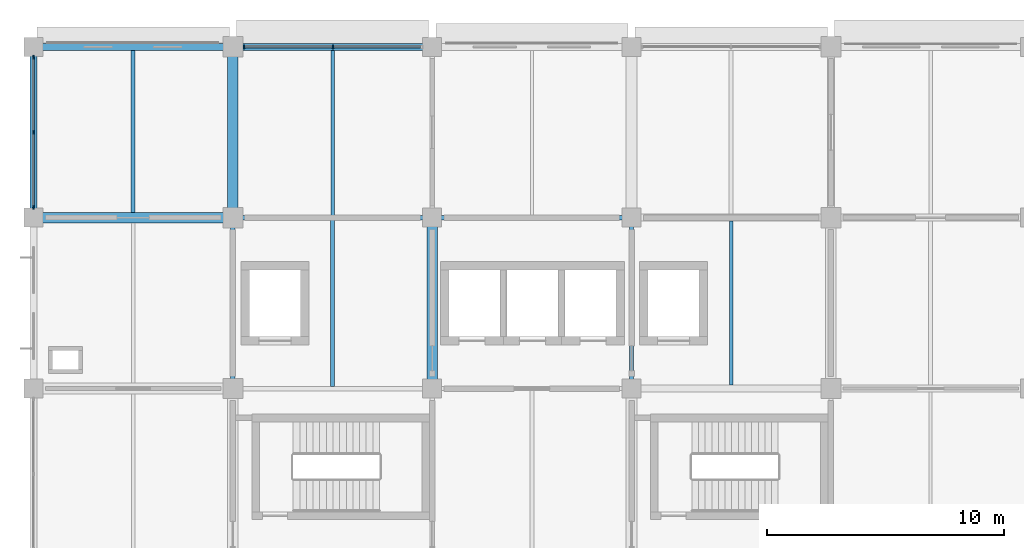
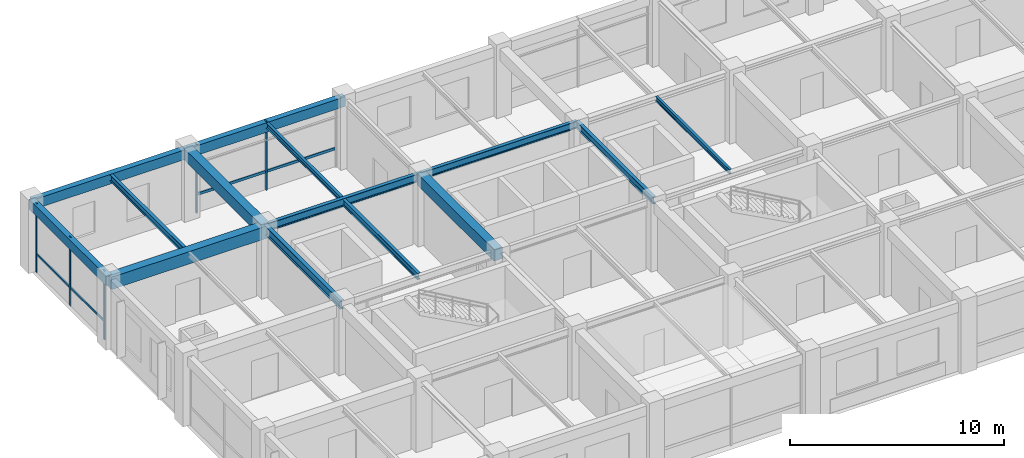
# One storey, part 4 of 13: 14 beams, 9 members, 2 elements without a shape of their own.
"""IFC4 building model written with IfcOpenShell, lengths in metres."""

from ifc_helpers import new_model, si_unit, derived_unit, direction, frame, origin, origin_2d, place, context, subcontext, project, spatial, rectangle, i_section, extrude, material, material_profile, profile_set, type_object, element, aggregate, save


model = new_model("IFC4")

# Units and contexts
model_context = context("Model", 3, precision=1e-05, world=origin(), true_north=direction((0.0, 1.0)))
body_context = subcontext(model_context, "Body", "Model", "MODEL_VIEW")
ifc_project = project(units=[si_unit("LENGTHUNIT", "METRE"), si_unit("AREAUNIT", "SQUARE_METRE"), si_unit("VOLUMEUNIT", "CUBIC_METRE"), si_unit("PLANEANGLEUNIT", "RADIAN"), si_unit("MASSUNIT", "GRAM", prefix="KILO"), derived_unit("THERMALTRANSMITTANCEUNIT", [(si_unit("MASSUNIT", "GRAM", prefix="KILO"), 1), (si_unit("TIMEUNIT", "SECOND"), -3), (si_unit("THERMODYNAMICTEMPERATUREUNIT", "KELVIN"), -1)])], contexts=[model_context])

# Site, building, storey
site_placement = place(None, origin())
site = spatial("IfcSite", under=ifc_project, at=site_placement, CompositionType="ELEMENT")
building_placement = place(site_placement, origin())
building = spatial("IfcBuilding", under=site, at=building_placement, Name="Veldstrom Oceanarium and Marine Research Institute", CompositionType="ELEMENT")
storey_placement = place(building_placement, frame((0.0, 0.0, 27.0)))
storey = spatial("IfcBuildingStorey", under=building, at=storey_placement, Name="L05", CompositionType="ELEMENT", Elevation=27.0)

# Curtain wall, members
ifc_material_1 = material(Name="Anodised Aluminium Framing", Category="aluminium")
curtain_wall_type_1 = type_object("IfcCurtainWallType", Name="ARC-CW-CW08", PredefinedType="USERDEFINED", material=ifc_material_1)
curtain_wall_1_placement = place(storey_placement, origin())
curtain_wall_1 = element("IfcCurtainWall", 1, at=curtain_wall_1_placement, inside=storey, type_object=curtain_wall_type_1, Name="Curtain Wall CW08 CW-L05-092", ObjectType="Curtain wall", PredefinedType="USERDEFINED")
ifc_material_2 = material(Name="Anodised Aluminium Framing", Category="aluminium")
ifc_material_profile_1 = material_profile(ifc_material_2, rectangle(XDim=0.06494140625, YDim=0.14990234375, at=origin_2d()), Name="ALU-MUL-65x150")
ifc_profile_set_1 = profile_set([ifc_material_profile_1], Name="Anodised Aluminium Framing")
member_type_1 = type_object("IfcMemberType", Name="ARC-MUL-ML2", PredefinedType="MULLION", material=ifc_profile_set_1)
member_1_placement = place(storey_placement, frame((67.199951171875, 65.239990234375, 0.0), z_axis=(0.0, 0.0, 1.0), x_axis=(1.0, 0.0, 0.0)))
member_1 = element("IfcMember", 2, at=member_1_placement, type_object=member_type_1, Name="Curtain Wall Mullion CW-L05-092-MUL-1", PredefinedType="MULLION", context=body_context, shape_type="SweptSolid", body=[
    extrude(rectangle(XDim=0.06494140625, YDim=0.14990234375, at=origin_2d()), origin(), (0.0, 0.0, 1.0), 3.919921875),
])
member_2_placement = place(storey_placement, frame((67.199951171875, 68.39990234375, 0.0), z_axis=(0.0, 0.0, 1.0), x_axis=(1.0, 0.0, 0.0)))
member_2 = element("IfcMember", 3, at=member_2_placement, type_object=member_type_1, Name="Curtain Wall Mullion CW-L05-092-MUL-2", PredefinedType="MULLION", context=body_context, shape_type="SweptSolid", body=[
    extrude(rectangle(XDim=0.06494140625, YDim=0.14990234375, at=origin_2d()), origin(), (0.0, 0.0, 1.0), 3.919921875),
])
member_3_placement = place(storey_placement, frame((67.199951171875, 71.56005859375, 0.0), z_axis=(0.0, 0.0, 1.0), x_axis=(1.0, 0.0, 0.0)))
member_3 = element("IfcMember", 4, at=member_3_placement, type_object=member_type_1, Name="Curtain Wall Mullion CW-L05-092-MUL-3", PredefinedType="MULLION", context=body_context, shape_type="SweptSolid", body=[
    extrude(rectangle(XDim=0.06494140625, YDim=0.14990234375, at=origin_2d()), origin(), (0.0, 0.0, 1.0), 3.919921875),
])

ifc_material_3 = material(Name="Anodised Aluminium Framing", Category="aluminium")
curtain_wall_type_2 = type_object("IfcCurtainWallType", Name="ARC-CW-CW04", PredefinedType="USERDEFINED", material=ifc_material_3)
curtain_wall_2_placement = place(storey_placement, origin())
curtain_wall_2 = element("IfcCurtainWall", 5, at=curtain_wall_2_placement, inside=storey, type_object=curtain_wall_type_2, Name="Curtain Wall CW04 CW-L05-093", ObjectType="Curtain wall", PredefinedType="USERDEFINED")
member_4_placement = place(storey_placement, frame((76.06494140625, 72.0, 0.0), z_axis=(0.0, 0.0, 1.0), x_axis=(1.0, 0.0, 0.0)))
member_4 = element("IfcMember", 6, at=member_4_placement, type_object=member_type_1, Name="Curtain Wall Mullion CW-L05-093-MUL-1", PredefinedType="MULLION", context=body_context, shape_type="SweptSolid", body=[
    extrude(rectangle(XDim=0.06494140625, YDim=0.14990234375, at=origin_2d()), origin(), (0.0, 0.0, 1.0), 3.919921875),
])
member_5_placement = place(storey_placement, frame((79.8125, 72.0, 0.0), z_axis=(0.0, 0.0, 1.0), x_axis=(1.0, 0.0, 0.0)))
member_5 = element("IfcMember", 7, at=member_5_placement, type_object=member_type_1, Name="Curtain Wall Mullion CW-L05-093-MUL-2", PredefinedType="MULLION", context=body_context, shape_type="SweptSolid", body=[
    extrude(rectangle(XDim=0.06494140625, YDim=0.14990234375, at=origin_2d()), origin(), (0.0, 0.0, 1.0), 3.919921875),
])
ifc_material_4 = material(Name="Anodised Aluminium Framing", Category="aluminium")
ifc_material_profile_2 = material_profile(ifc_material_4, rectangle(XDim=0.074951171875, YDim=0.14990234375, at=origin_2d()), Name="ALU-TRN-75x150")
ifc_profile_set_2 = profile_set([ifc_material_profile_2], Name="Anodised Aluminium Framing")
member_type_2 = type_object("IfcMemberType", Name="ARC-TRN-TR1", PredefinedType="USERDEFINED", material=ifc_profile_set_2)
member_6_placement = place(storey_placement, frame((76.10498046875, 72.0, 1.050048828125), z_axis=(1.0, 0.0, 0.0), x_axis=(0.0, 1.0, 0.0)))
member_6 = element("IfcMember", 8, at=member_6_placement, type_object=member_type_2, Name="Curtain Wall Transom CW-L05-093-TRN-1", ObjectType="Transom", PredefinedType="USERDEFINED", context=body_context, shape_type="SweptSolid", body=[
    extrude(rectangle(XDim=0.074951171875, YDim=0.14990234375, at=origin_2d()), origin(), (0.0, 0.0, 1.0), 3.66748046875),
])
member_7_placement = place(storey_placement, frame((79.8525390625, 72.0, 1.050048828125), z_axis=(1.0, 0.0, 0.0), x_axis=(0.0, 1.0, 0.0)))
member_7 = element("IfcMember", 9, at=member_7_placement, type_object=member_type_2, Name="Curtain Wall Transom CW-L05-093-TRN-2", ObjectType="Transom", PredefinedType="USERDEFINED", context=body_context, shape_type="SweptSolid", body=[
    extrude(rectangle(XDim=0.074951171875, YDim=0.14990234375, at=origin_2d()), origin(), (0.0, 0.0, 1.0), 3.66748046875),
])
aggregate(curtain_wall_2, [member_4, member_5, member_6, member_7])

# Member
ifc_material_5 = material(Name="Anodised Aluminium Framing", Category="aluminium")
ifc_material_profile_3 = material_profile(ifc_material_5, rectangle(XDim=0.06494140625, YDim=0.1201171875, at=origin_2d()), Name="ALU-TRN-65x120")
ifc_profile_set_3 = profile_set([ifc_material_profile_3], Name="Anodised Aluminium Framing")
member_type_3 = type_object("IfcMemberType", Name="ARC-TRN-TR2", PredefinedType="USERDEFINED", material=ifc_profile_set_3)
member_8_placement = place(storey_placement, frame((67.199951171875, 65.280029296875, 1.050048828125), z_axis=(0.0, 1.0, 0.0), x_axis=(-1.0, 0.0, 0.0)))
member_8 = element("IfcMember", 10, at=member_8_placement, type_object=member_type_3, Name="Curtain Wall Transom CW-L05-092-TRN-1", ObjectType="Transom", PredefinedType="USERDEFINED", context=body_context, shape_type="SweptSolid", body=[
    extrude(rectangle(XDim=0.06494140625, YDim=0.1201171875, at=origin_2d()), origin(), (0.0, 0.0, 1.0), 3.080078125),
])

member_9_placement = place(storey_placement, frame((67.199951171875, 68.43994140625, 1.050048828125), z_axis=(0.0, 1.0, 0.0), x_axis=(-1.0, 0.0, 0.0)))
member_9 = element("IfcMember", 11, at=member_9_placement, type_object=member_type_3, Name="Curtain Wall Transom CW-L05-092-TRN-2", ObjectType="Transom", PredefinedType="USERDEFINED", context=body_context, shape_type="SweptSolid", body=[
    extrude(rectangle(XDim=0.06494140625, YDim=0.1201171875, at=origin_2d()), origin(), (0.0, 0.0, 1.0), 3.080078125),
])

aggregate(curtain_wall_1, [member_1, member_2, member_3, member_8, member_9])

# Beams
ifc_material_6 = material(Name="Concrete C40/50", Category="concrete")
ifc_material_profile_4 = material_profile(ifc_material_6, rectangle(XDim=0.449951171875, YDim=0.699951171875, at=origin_2d()), Name="RC-BM-450x700")
ifc_profile_set_4 = profile_set([ifc_material_profile_4], Name="Concrete C40/50")
beam_type_1 = type_object("IfcBeamType", Name="STR-BM-B04", PredefinedType="BEAM", material=ifc_profile_set_4)
beam_1_placement = place(storey_placement, frame((67.199951171875, 64.800048828125, 3.56494140625), z_axis=(1.0, 0.0, 0.0), x_axis=(0.0, 1.0, 0.0)))
element("IfcBeam", 12, at=beam_1_placement, inside=storey, type_object=beam_type_1, Name="Primary Beam B04 L05-2177", PredefinedType="BEAM", context=body_context, shape_type="SweptSolid", body=[
    extrude(rectangle(XDim=0.449951171875, YDim=0.699951171875, at=origin_2d()), origin(), (0.0, 0.0, 1.0), 8.400146484375),
])
ifc_material_7 = material(Name="Concrete C40/50", Category="concrete")
ifc_material_profile_5 = material_profile(ifc_material_7, rectangle(XDim=0.449951171875, YDim=0.64990234375, at=origin_2d()), Name="RC-BM-450x650")
ifc_profile_set_5 = profile_set([ifc_material_profile_5], Name="Concrete C40/50")
beam_type_2 = type_object("IfcBeamType", Name="STR-BM-B05", PredefinedType="BEAM", material=ifc_profile_set_5)
for number, where, z_axis, x_axis, name in (
    (13, (75.60009765625, 64.800048828125, 3.590087890625), (0.0, 1.0, 0.0), (-1.0, 0.0, 0.0), "Primary Beam B05 L05-2211"),
    (14, (84.0, 57.60009765625, 3.590087890625), (0.0, 1.0, 0.0), (-1.0, 0.0, 0.0), "Primary Beam B05 L05-2214"),
):
    element("IfcBeam", number, at=place(storey_placement, frame(where, z_axis=z_axis, x_axis=x_axis)), inside=storey, type_object=beam_type_2, Name=name, PredefinedType="BEAM", context=body_context, shape_type="SweptSolid", body=[
        extrude(rectangle(XDim=0.449951171875, YDim=0.64990234375, at=origin_2d()), origin(), (0.0, 0.0, 1.0), 7.199951171875),
    ])
ifc_material_8 = material(Name="Steel S355JR", Category="steel")
ifc_material_profile_6 = material_profile(ifc_material_8, i_section(OverallWidth=0.199951171875, OverallDepth=0.5, WebThickness=0.01025390625, FlangeThickness=0.01611328125, FilletRadius=0.02099609375, at=origin_2d()), Name="IPE 500")
ifc_profile_set_6 = profile_set([ifc_material_profile_6], Name="Steel S355JR")
beam_type_3 = type_object("IfcBeamType", Name="STR-BM-SB6", PredefinedType="BEAM", material=ifc_profile_set_6)
beam_2_placement = place(storey_placement, frame((75.60009765625, 57.60009765625, 3.6650390625), z_axis=(0.0, 1.0, 0.0), x_axis=(-1.0, 0.0, 0.0)))
element("IfcBeam", 15, at=beam_2_placement, inside=storey, type_object=beam_type_3, Name="Steel Tie Beam SB6 L05-2210", PredefinedType="BEAM", context=body_context, shape_type="SweptSolid", body=[
    extrude(i_section(OverallWidth=0.199951171875, OverallDepth=0.5, WebThickness=0.01025390625, FlangeThickness=0.01611328125, FilletRadius=0.02099609375, at=origin_2d()), origin(), (0.0, 0.0, 1.0), 7.199951171875),
])
ifc_material_9 = material(Name="Steel S355JR", Category="steel")
ifc_material_profile_7 = material_profile(ifc_material_9, i_section(OverallWidth=0.18994140625, OverallDepth=0.449951171875, WebThickness=0.009521484375, FlangeThickness=0.0146484375, FilletRadius=0.02099609375, at=origin_2d()), Name="IPE 450")
ifc_profile_set_7 = profile_set([ifc_material_profile_7], Name="Steel S355JR")
beam_type_4 = type_object("IfcBeamType", Name="STR-BM-SB7", PredefinedType="BEAM", material=ifc_profile_set_7)
beam_3_placement = place(storey_placement, frame((75.60009765625, 64.800048828125, 3.68994140625), z_axis=(1.0, 0.0, 0.0), x_axis=(0.0, 1.0, 0.0)))
element("IfcBeam", 16, at=beam_3_placement, inside=storey, type_object=beam_type_4, Name="Steel Floor Girder SB7 L05-2182", PredefinedType="BEAM", context=body_context, shape_type="SweptSolid", body=[
    extrude(i_section(OverallWidth=0.18994140625, OverallDepth=0.449951171875, WebThickness=0.009521484375, FlangeThickness=0.0146484375, FilletRadius=0.02099609375, at=origin_2d()), origin(), (0.0, 0.0, 1.0), 8.39990234375),
])
ifc_material_10 = material(Name="Steel S355JR", Category="steel")
ifc_material_profile_8 = material_profile(ifc_material_10, i_section(OverallWidth=0.179931640625, OverallDepth=0.39990234375, WebThickness=0.008544921875, FlangeThickness=0.013427734375, FilletRadius=0.02099609375, at=origin_2d()), Name="IPE 400")
ifc_profile_set_8 = profile_set([ifc_material_profile_8], Name="Steel S355JR")
beam_type_5 = type_object("IfcBeamType", Name="STR-BM-SB8", PredefinedType="BEAM", material=ifc_profile_set_8)
beam_4_placement = place(storey_placement, frame((84.0, 64.800048828125, 3.715087890625), z_axis=(1.0, 0.0, 0.0), x_axis=(0.0, 1.0, 0.0)))
element("IfcBeam", 17, at=beam_4_placement, inside=storey, type_object=beam_type_5, Name="Steel Floor Girder SB8 L05-2187", PredefinedType="BEAM", context=body_context, shape_type="SweptSolid", body=[
    extrude(i_section(OverallWidth=0.179931640625, OverallDepth=0.39990234375, WebThickness=0.008544921875, FlangeThickness=0.013427734375, FilletRadius=0.02099609375, at=origin_2d()), origin(), (0.0, 0.0, 1.0), 8.39990234375),
])
beam_5_placement = place(storey_placement, frame((92.39990234375, 57.60009765625, 3.715087890625), z_axis=(0.0, 1.0, 0.0), x_axis=(-1.0, 0.0, 0.0)))
element("IfcBeam", 18, at=beam_5_placement, inside=storey, type_object=beam_type_5, Name="Steel Tie Beam SB8 L05-2218", PredefinedType="BEAM", context=body_context, shape_type="SweptSolid", body=[
    extrude(i_section(OverallWidth=0.179931640625, OverallDepth=0.39990234375, WebThickness=0.008544921875, FlangeThickness=0.013427734375, FilletRadius=0.02099609375, at=origin_2d()), origin(), (0.0, 0.0, 1.0), 7.199951171875),
])
ifc_material_11 = material(Name="Steel S355JR", Category="steel")
ifc_material_profile_9 = material_profile(ifc_material_11, i_section(OverallWidth=0.169921875, OverallDepth=0.360107421875, WebThickness=0.008056640625, FlangeThickness=0.0126953125, FilletRadius=0.01806640625, at=origin_2d()), Name="IPE 360")
ifc_profile_set_9 = profile_set([ifc_material_profile_9], Name="Steel S355JR")
beam_type_6 = type_object("IfcBeamType", Name="STR-JST-SJ1", PredefinedType="JOIST", material=ifc_profile_set_9)
beam_6_placement = place(storey_placement, frame((71.39990234375, 65.02490234375, 3.735107421875), z_axis=(0.0, 1.0, 0.0), x_axis=(-1.0, 0.0, 0.0)))
element("IfcBeam", 19, at=beam_6_placement, inside=storey, type_object=beam_type_6, Name="Secondary Joist SJ1 L05-2235", PredefinedType="JOIST", context=body_context, shape_type="SweptSolid", body=[
    extrude(i_section(OverallWidth=0.169921875, OverallDepth=0.360107421875, WebThickness=0.008056640625, FlangeThickness=0.0126953125, FilletRadius=0.01806640625, at=origin_2d()), origin(), (0.0, 0.0, 1.0), 6.8251953125),
])
beam_7_placement = place(storey_placement, frame((79.800048828125, 57.695068359375, 3.735107421875), z_axis=(0.0, 1.0, 0.0), x_axis=(-1.0, 0.0, 0.0)))
element("IfcBeam", 20, at=beam_7_placement, inside=storey, type_object=beam_type_6, Name="Secondary Joist SJ1 L05-2237", PredefinedType="JOIST", context=body_context, shape_type="SweptSolid", body=[
    extrude(i_section(OverallWidth=0.169921875, OverallDepth=0.360107421875, WebThickness=0.008056640625, FlangeThickness=0.0126953125, FilletRadius=0.01806640625, at=origin_2d()), origin(), (0.0, 0.0, 1.0), 7.010009765625),
])
ifc_material_12 = material(Name="Steel S355JR", Category="steel")
ifc_material_profile_10 = material_profile(ifc_material_12, i_section(OverallWidth=0.14990234375, OverallDepth=0.300048828125, WebThickness=0.007080078125, FlangeThickness=0.0107421875, FilletRadius=0.014892578125, at=origin_2d()), Name="IPE 300")
ifc_profile_set_10 = profile_set([ifc_material_profile_10], Name="Steel S355JR")
beam_type_7 = type_object("IfcBeamType", Name="STR-JST-SJ2", PredefinedType="JOIST", material=ifc_profile_set_10)
beam_8_placement = place(storey_placement, frame((79.800048828125, 64.89501953125, 3.764892578125), z_axis=(0.0, 1.0, 0.0), x_axis=(-1.0, 0.0, 0.0)))
element("IfcBeam", 21, at=beam_8_placement, inside=storey, type_object=beam_type_7, Name="Secondary Joist SJ2 L05-2238", PredefinedType="JOIST", context=body_context, shape_type="SweptSolid", body=[
    extrude(i_section(OverallWidth=0.14990234375, OverallDepth=0.300048828125, WebThickness=0.007080078125, FlangeThickness=0.0107421875, FilletRadius=0.014892578125, at=origin_2d()), origin(), (0.0, 0.0, 1.0), 6.955078125),
])
ifc_material_13 = material(Name="Steel S355JR", Category="steel")
ifc_material_profile_11 = material_profile(ifc_material_13, i_section(OverallWidth=0.135009765625, OverallDepth=0.27001953125, WebThickness=0.006591796875, FlangeThickness=0.01025390625, FilletRadius=0.014892578125, at=origin_2d()), Name="IPE 270")
ifc_profile_set_11 = profile_set([ifc_material_profile_11], Name="Steel S355JR")
beam_type_8 = type_object("IfcBeamType", Name="STR-JST-SJ3", PredefinedType="JOIST", material=ifc_profile_set_11)
beam_9_placement = place(storey_placement, frame((96.60009765625, 57.75, 3.780029296875), z_axis=(0.0, 1.0, 0.0), x_axis=(-1.0, 0.0, 0.0)))
element("IfcBeam", 22, at=beam_9_placement, inside=storey, type_object=beam_type_8, Name="Secondary Joist SJ3 L05-2243", PredefinedType="JOIST", context=body_context, shape_type="SweptSolid", body=[
    extrude(i_section(OverallWidth=0.135009765625, OverallDepth=0.27001953125, WebThickness=0.006591796875, FlangeThickness=0.01025390625, FilletRadius=0.014892578125, at=origin_2d()), origin(), (0.0, 0.0, 1.0), 6.89990234375),
])
ifc_material_14 = material(Name="Concrete C40/50", Category="concrete")
ifc_material_profile_12 = material_profile(ifc_material_14, rectangle(XDim=0.300048828125, YDim=0.550048828125, at=origin_2d()), Name="RC-SPN-300x550")
ifc_profile_set_12 = profile_set([ifc_material_profile_12], Name="Concrete C40/50")
beam_type_9 = type_object("IfcBeamType", Name="STR-SPN-SP2", PredefinedType="SPANDREL", material=ifc_profile_set_12)
beam_10_placement = place(storey_placement, frame((67.199951171875, 72.0, 3.639892578125), z_axis=(1.0, 0.0, 0.0), x_axis=(0.0, 1.0, 0.0)))
element("IfcBeam", 23, at=beam_10_placement, inside=storey, type_object=beam_type_9, Name="Perimeter Spandrel SPB2 L05-2178", PredefinedType="SPANDREL", context=body_context, shape_type="SweptSolid", body=[
    extrude(rectangle(XDim=0.300048828125, YDim=0.550048828125, at=origin_2d()), origin(), (0.0, 0.0, 1.0), 8.400146484375),
])
beam_11_placement = place(storey_placement, frame((75.60009765625, 72.0, 3.639892578125), z_axis=(1.0, 0.0, 0.0), x_axis=(0.0, 1.0, 0.0)))
element("IfcBeam", 24, at=beam_11_placement, inside=storey, type_object=beam_type_9, Name="Perimeter Spandrel SPB2 L05-2183", PredefinedType="SPANDREL", context=body_context, shape_type="SweptSolid", body=[
    extrude(rectangle(XDim=0.300048828125, YDim=0.550048828125, at=origin_2d()), origin(), (0.0, 0.0, 1.0), 8.39990234375),
])
beam_12_placement = place(storey_placement, frame((67.199951171875, 64.800048828125, 3.639892578125), z_axis=(0.0, 1.0, 0.0), x_axis=(-1.0, 0.0, 0.0)))
element("IfcBeam", 25, at=beam_12_placement, inside=storey, type_object=beam_type_9, Name="Perimeter Spandrel SPB2 L05-2207", PredefinedType="SPANDREL", context=body_context, shape_type="SweptSolid", body=[
    extrude(rectangle(XDim=0.300048828125, YDim=0.550048828125, at=origin_2d()), origin(), (0.0, 0.0, 1.0), 7.199951171875),
])

save(model, "model.ifc")
